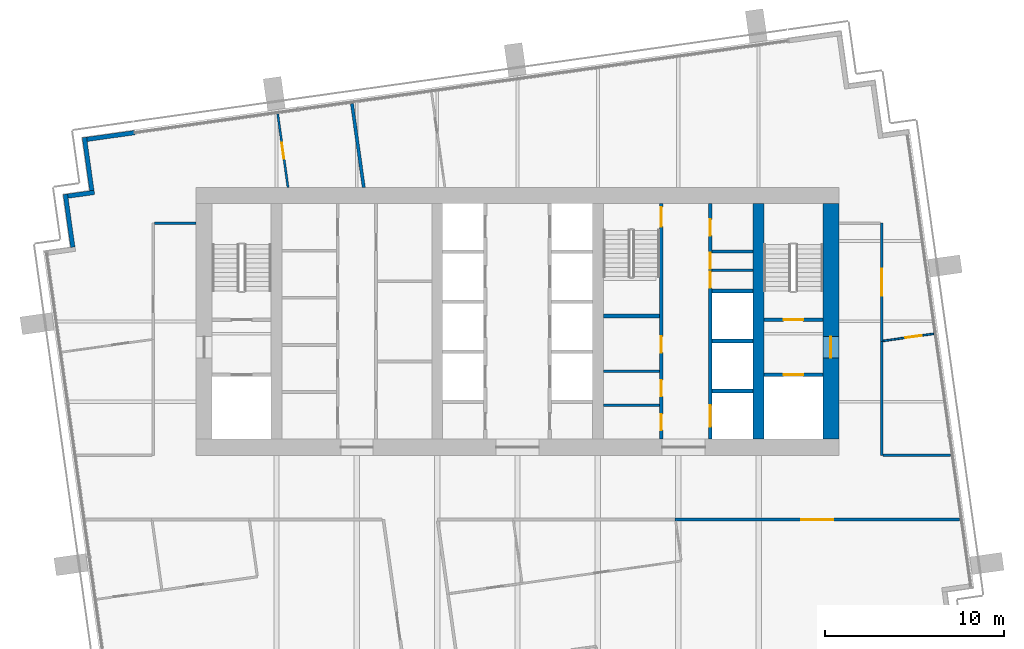
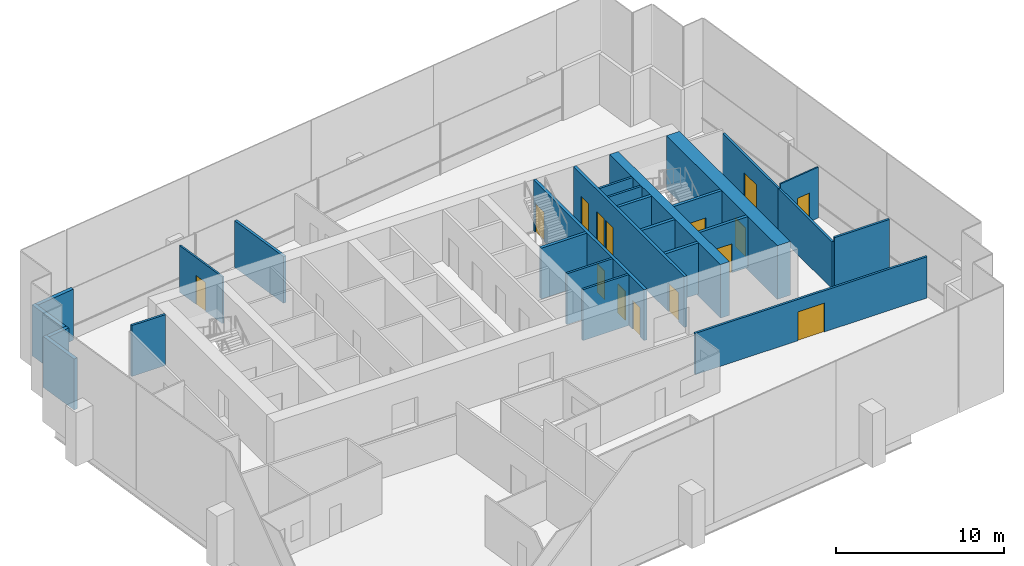
# One storey, part 10 of 15: 26 walls, 15 doors, 15 openings.
"""IFC4 building model written with IfcOpenShell, lengths in metres."""

from ifc_helpers import new_model, si_unit, direction, frame, frame_2d, origin, place, context, subcontext, project, spatial, rectangle, extrude, material, layer, layer_set, type_object, element, fill, save


model = new_model("IFC4")

# Units and contexts
model_context = context("Model", 3, precision=1e-05, world=origin(), true_north=direction((0.0, 1.0)))
body_context = subcontext(model_context, "Body", "Model", "MODEL_VIEW")
ifc_project = project(units=[si_unit("LENGTHUNIT", "METRE"), si_unit("AREAUNIT", "SQUARE_METRE"), si_unit("VOLUMEUNIT", "CUBIC_METRE"), si_unit("PLANEANGLEUNIT", "RADIAN"), si_unit("MASSUNIT", "GRAM", prefix="KILO")], contexts=[model_context])

# Site, building, storey
site_placement = place(None, origin())
site = spatial("IfcSite", under=ifc_project, at=site_placement, CompositionType="ELEMENT")
building_placement = place(site_placement, origin())
building = spatial("IfcBuilding", under=site, at=building_placement, Name="Rattan Terrace Tower", CompositionType="ELEMENT")
storey_placement = place(building_placement, frame((0.0, 0.0, 255.10009765625)))
storey = spatial("IfcBuildingStorey", under=building, at=storey_placement, Name="L58", CompositionType="ELEMENT", Elevation=255.10009765625)

# Walls
ifc_material_1 = material(Name="Gypsum board partition")
ifc_layer_1 = layer(ifc_material_1, 0.14990234375)
ifc_layer_set_1 = layer_set([ifc_layer_1], Name="Core partition 150")
wall_type_1 = type_object("IfcWallType", Name="Core partition 150", PredefinedType="PARTITIONING", material=ifc_layer_set_1)
for number, where, z_axis, x_axis, name in (
    (1, (4.800048828125, -4.696044921875, 0.0), (0.0, 0.0, 1.0), (1.0, 0.0, 0.0), "Toilet wall"),
    (2, (4.800048828125, -2.7919921875, 0.0), (0.0, 0.0, 1.0), (1.0, 0.0, 0.0), "Toilet wall"),
):
    element("IfcWall", number, at=place(storey_placement, frame(where, z_axis=z_axis, x_axis=x_axis)), inside=storey, type_object=wall_type_1, Name=name, PredefinedType="PARTITIONING", context=body_context, shape_type="SweptSolid", body=[
        extrude(rectangle(XDim=3.14990234375, YDim=0.14990234375, at=frame_2d((1.574951171875, 0.0))), origin(), (0.0, 0.0, 1.0), 3.699951171875),
    ])
for number, where, z_axis, x_axis, name in (
    (3, (10.89990234375, 2.85595703125, 0.0), (0.0, 0.0, 1.0), (1.0, 0.0, 0.0), "Riser room wall"),
    (4, (10.89990234375, 3.912109375, 0.0), (0.0, 0.0, 1.0), (1.0, 0.0, 0.0), "Riser room wall"),
):
    element("IfcWall", number, at=place(storey_placement, frame(where, z_axis=z_axis, x_axis=x_axis)), inside=storey, type_object=wall_type_1, Name=name, PredefinedType="PARTITIONING", context=body_context, shape_type="SweptSolid", body=[
        extrude(rectangle(XDim=2.300048828125, YDim=0.14990234375, at=frame_2d((1.14990234375, 0.0))), origin(), (0.0, 0.0, 1.0), 3.699951171875),
    ])

# Wall, opening, door
ifc_material_2 = material(Name="Gypsum board partition")
ifc_layer_2 = layer(ifc_material_2, 0.199951171875)
ifc_layer_set_2 = layer_set([ifc_layer_2], Name="Core partition 200")
wall_type_2 = type_object("IfcWallType", Name="Core partition 200", PredefinedType="PARTITIONING", material=ifc_layer_set_2)
wall_1_placement = place(storey_placement, frame((13.800048828125, -3.0, 0.0), z_axis=(0.0, 0.0, 1.0), x_axis=(1.0, 0.0, 0.0)))
wall_1 = element("IfcWall", 5, at=wall_1_placement, inside=storey, type_object=wall_type_2, Name="Fire-fighting lobby wall", PredefinedType="PARTITIONING", context=body_context, shape_type="SweptSolid", body=[
    extrude(rectangle(XDim=3.300048828125, YDim=0.199951171875, at=frame_2d((1.64990234375, 0.0))), origin(), (0.0, 0.0, 1.0), 3.699951171875),
])
opening_1_placement = place(wall_1_placement, frame((1.10009765625, 0.0, 0.0)))
opening_1 = element("IfcOpeningElement", 6, at=opening_1_placement, cuts=wall_1, Name="Opening L58-LD-FF2", PredefinedType="OPENING", context=body_context, shape_type="SweptSolid", body=[
    extrude(rectangle(XDim=1.10009765625, YDim=2.10009765625, at=frame_2d((0.550048828125, 1.050048828125))), frame((0.0, 0.110595703125, 0.0), z_axis=(0.0, -1.0, 0.0), x_axis=(1.0, 0.0, 0.0)), (0.0, 0.0, 1.0), 0.220947265625),
])
ifc_material_3 = material(Name="Brushed stainless landing door panel")
door_type_1 = type_object("IfcDoorType", Name="Core lift landing door 1100", OperationType="DOUBLE_DOOR_SLIDING", PredefinedType="DOOR", material=ifc_material_3)
door_1_placement = place(opening_1_placement, origin())
door_1 = element("IfcDoor", 7, at=door_1_placement, inside=storey, type_object=door_type_1, Name="Door L58-LD-FF2", OperationType="DOUBLE_DOOR_SLIDING", OverallHeight=2.10009765625, OverallWidth=1.10009765625, PredefinedType="DOOR", context=body_context, shape_type="SweptSolid", body=[
    extrude(rectangle(XDim=1.10009765625, YDim=2.10009765625, at=frame_2d((0.550048828125, 1.050048828125))), frame((0.0, 0.02490234375, 0.0), z_axis=(0.0, -1.0, 0.0), x_axis=(1.0, 0.0, 0.0)), (0.0, 0.0, 1.0), 0.050048828125),
])
fill(opening_1, door_1)

wall_2_placement = place(storey_placement, frame((13.800048828125, 0.10009765625, 0.0), z_axis=(0.0, 0.0, 1.0), x_axis=(1.0, 0.0, 0.0)))
wall_2 = element("IfcWall", 8, at=wall_2_placement, inside=storey, type_object=wall_type_2, Name="Stair enclosure wall", PredefinedType="PARTITIONING", context=body_context, shape_type="SweptSolid", body=[
    extrude(rectangle(XDim=3.300048828125, YDim=0.199951171875, at=frame_2d((1.64990234375, 0.0))), origin(), (0.0, 0.0, 1.0), 3.699951171875),
])
opening_2_placement = place(wall_2_placement, frame((1.10009765625, 0.0, 0.0)))
opening_2 = element("IfcOpeningElement", 9, at=opening_2_placement, cuts=wall_2, Name="Opening L58-D004", PredefinedType="OPENING", context=body_context, shape_type="SweptSolid", body=[
    extrude(rectangle(XDim=1.10009765625, YDim=2.10009765625, at=frame_2d((0.550048828125, 1.050048828125))), frame((0.0, 0.110595703125, 0.0), z_axis=(0.0, -1.0, 0.0), x_axis=(1.0, 0.0, 0.0)), (0.0, 0.0, 1.0), 0.220947265625),
])
ifc_material_4 = material(Name="Hollow-metal fire door leaf")
door_type_2 = type_object("IfcDoorType", Name="Core stair door 1100", OperationType="NOTDEFINED", PredefinedType="DOOR", material=ifc_material_4)
door_2_placement = place(opening_2_placement, origin())
door_2 = element("IfcDoor", 10, at=door_2_placement, inside=storey, type_object=door_type_2, Name="Door L58-D004", OperationType="SINGLE_SWING_RIGHT", OverallHeight=2.10009765625, OverallWidth=1.10009765625, PredefinedType="DOOR", context=body_context, shape_type="SweptSolid", body=[
    extrude(rectangle(XDim=1.10009765625, YDim=2.10009765625, at=frame_2d((0.550048828125, 1.050048828125))), frame((0.0, 0.02490234375, 0.0), z_axis=(0.0, -1.0, 0.0), x_axis=(1.0, 0.0, 0.0)), (0.0, 0.0, 1.0), 0.050048828125),
])
fill(opening_2, door_2)

# Wall, openings, doors
wall_3_placement = place(storey_placement, frame((8.050048828125, -6.60009765625, 0.0), z_axis=(0.0, 0.0, 1.0), x_axis=(0.0, 1.0, 0.0)))
wall_3 = element("IfcWall", 11, at=wall_3_placement, inside=storey, type_object=wall_type_2, Name="Lobby wall west", PredefinedType="PARTITIONING", context=body_context, shape_type="SweptSolid", body=[
    extrude(rectangle(XDim=13.2001953125, YDim=0.199951171875, at=frame_2d((6.60009765625, 0.0))), origin(), (0.0, 0.0, 1.0), 3.699951171875),
])
opening_3_placement = place(wall_3_placement, frame((0.501953125, 0.0, 0.0)))
opening_3 = element("IfcOpeningElement", 12, at=opening_3_placement, cuts=wall_3, Name="Opening L58-D017", PredefinedType="OPENING", context=body_context, shape_type="SweptSolid", body=[
    extrude(rectangle(XDim=0.89990234375, YDim=2.10009765625, at=frame_2d((0.449951171875, 1.050048828125))), frame((0.0, 0.110595703125, 0.0), z_axis=(0.0, -1.0, 0.0), x_axis=(1.0, 0.0, 0.0)), (0.0, 0.0, 1.0), 0.220947265625),
])
opening_4_placement = place(wall_3_placement, frame((2.406005859375, 0.0, 0.0)))
opening_4 = element("IfcOpeningElement", 13, at=opening_4_placement, cuts=wall_3, Name="Opening L58-D018", PredefinedType="OPENING", context=body_context, shape_type="SweptSolid", body=[
    extrude(rectangle(XDim=0.89990234375, YDim=2.10009765625, at=frame_2d((0.449951171875, 1.050048828125))), frame((0.0, 0.110595703125, 0.0), z_axis=(0.0, -1.0, 0.0), x_axis=(1.0, 0.0, 0.0)), (0.0, 0.0, 1.0), 0.220947265625),
])
opening_5_placement = place(wall_3_placement, frame((4.85400390625, 0.0, 0.0)))
opening_5 = element("IfcOpeningElement", 14, at=opening_5_placement, cuts=wall_3, Name="Opening L58-D019", PredefinedType="OPENING", context=body_context, shape_type="SweptSolid", body=[
    extrude(rectangle(XDim=0.89990234375, YDim=2.10009765625, at=frame_2d((0.449951171875, 1.050048828125))), frame((0.0, 0.110595703125, 0.0), z_axis=(0.0, -1.0, 0.0), x_axis=(1.0, 0.0, 0.0)), (0.0, 0.0, 1.0), 0.220947265625),
])
opening_6_placement = place(wall_3_placement, frame((11.89990234375, 0.0, 0.0)))
opening_6 = element("IfcOpeningElement", 15, at=opening_6_placement, cuts=wall_3, Name="Opening L58-D020", PredefinedType="OPENING", context=body_context, shape_type="SweptSolid", body=[
    extrude(rectangle(XDim=1.10009765625, YDim=2.10009765625, at=frame_2d((0.550048828125, 1.050048828125))), frame((0.0, 0.110595703125, 0.0), z_axis=(0.0, -1.0, 0.0), x_axis=(1.0, 0.0, 0.0)), (0.0, 0.0, 1.0), 0.220947265625),
])
door_3_placement = place(opening_6_placement, origin())
door_3 = element("IfcDoor", 16, at=door_3_placement, inside=storey, type_object=door_type_2, Name="Door L58-D020", OperationType="SINGLE_SWING_LEFT", OverallHeight=2.10009765625, OverallWidth=1.10009765625, PredefinedType="DOOR", context=body_context, shape_type="SweptSolid", body=[
    extrude(rectangle(XDim=1.10009765625, YDim=2.10009765625, at=frame_2d((0.550048828125, 1.050048828125))), frame((0.0, 0.02490234375, 0.0), z_axis=(0.0, -1.0, 0.0), x_axis=(1.0, 0.0, 0.0)), (0.0, 0.0, 1.0), 0.050048828125),
])
fill(opening_6, door_3)
ifc_material_5 = material(Name="Hollow-metal fire door leaf")
door_type_3 = type_object("IfcDoorType", Name="Core toilet door 900", OperationType="NOTDEFINED", PredefinedType="DOOR", material=ifc_material_5)
door_4_placement = place(opening_3_placement, origin())
door_4 = element("IfcDoor", 17, at=door_4_placement, inside=storey, type_object=door_type_3, Name="Door L58-D017", OperationType="SINGLE_SWING_RIGHT", OverallHeight=2.10009765625, OverallWidth=0.89990234375, PredefinedType="DOOR", context=body_context, shape_type="SweptSolid", body=[
    extrude(rectangle(XDim=0.89990234375, YDim=2.10009765625, at=frame_2d((0.449951171875, 1.050048828125))), frame((0.0, 0.02490234375, 0.0), z_axis=(0.0, -1.0, 0.0), x_axis=(1.0, 0.0, 0.0)), (0.0, 0.0, 1.0), 0.050048828125),
])
fill(opening_3, door_4)
door_5_placement = place(opening_4_placement, origin())
door_5 = element("IfcDoor", 18, at=door_5_placement, inside=storey, type_object=door_type_3, Name="Door L58-D018", OperationType="SINGLE_SWING_LEFT", OverallHeight=2.10009765625, OverallWidth=0.89990234375, PredefinedType="DOOR", context=body_context, shape_type="SweptSolid", body=[
    extrude(rectangle(XDim=0.89990234375, YDim=2.10009765625, at=frame_2d((0.449951171875, 1.050048828125))), frame((0.0, 0.02490234375, 0.0), z_axis=(0.0, -1.0, 0.0), x_axis=(1.0, 0.0, 0.0)), (0.0, 0.0, 1.0), 0.050048828125),
])
fill(opening_4, door_5)
door_6_placement = place(opening_5_placement, origin())
door_6 = element("IfcDoor", 19, at=door_6_placement, inside=storey, type_object=door_type_3, Name="Door L58-D019", OperationType="SINGLE_SWING_RIGHT", OverallHeight=2.10009765625, OverallWidth=0.89990234375, PredefinedType="DOOR", context=body_context, shape_type="SweptSolid", body=[
    extrude(rectangle(XDim=0.89990234375, YDim=2.10009765625, at=frame_2d((0.449951171875, 1.050048828125))), frame((0.0, 0.02490234375, 0.0), z_axis=(0.0, -1.0, 0.0), x_axis=(1.0, 0.0, 0.0)), (0.0, 0.0, 1.0), 0.050048828125),
])
fill(opening_5, door_6)

# Wall
wall_4_placement = place(storey_placement, frame((4.800048828125, 0.300048828125, 0.0), z_axis=(0.0, 0.0, 1.0), x_axis=(1.0, 0.0, 0.0)))
element("IfcWall", 20, at=wall_4_placement, inside=storey, type_object=wall_type_2, Name="Stair enclosure wall", PredefinedType="PARTITIONING", context=body_context, shape_type="SweptSolid", body=[
    extrude(rectangle(XDim=3.14990234375, YDim=0.199951171875, at=frame_2d((1.574951171875, 0.0))), origin(), (0.0, 0.0, 1.0), 3.699951171875),
])

# Wall, opening, door
ifc_material_6 = material(Name="Concrete C50/60", Category="concrete")
ifc_layer_3 = layer(ifc_material_6, 0.89990234375)
ifc_layer_set_3 = layer_set([ifc_layer_3], Name="Core ring wall 900 C50/60")
wall_type_3 = type_object("IfcWallType", Name="Core ring wall 900 C50/60", PredefinedType="SHEAR", material=ifc_layer_set_3)
wall_5_placement = place(storey_placement, frame((17.550048828125, -6.60009765625, -0.2001953125), z_axis=(0.0, 0.0, 1.0), x_axis=(0.0, 1.0, 0.0)))
wall_5 = element("IfcWall", 21, at=wall_5_placement, inside=storey, type_object=wall_type_3, Name="Rear core wall east", PredefinedType="SHEAR", context=body_context, shape_type="SweptSolid", body=[
    extrude(rectangle(XDim=13.2001953125, YDim=0.89990234375, at=frame_2d((6.60009765625, 0.0))), origin(), (0.0, 0.0, 1.0), 3.900146484375),
])
opening_7_placement = place(wall_5_placement, frame((4.550048828125, 0.0, 0.199951171875)))
opening_7 = element("IfcOpeningElement", 22, at=opening_7_placement, cuts=wall_5, Name="Opening L58-D003", PredefinedType="OPENING", context=body_context, shape_type="SweptSolid", body=[
    extrude(rectangle(XDim=1.199951171875, YDim=2.10009765625, at=frame_2d((0.60009765625, 1.050048828125))), frame((0.0, 0.46044921875, 0.0), z_axis=(0.0, -1.0, 0.0), x_axis=(1.0, 0.0, 0.0)), (0.0, 0.0, 1.0), 0.9208984375),
])
ifc_material_7 = material(Name="Hollow-metal fire door leaf")
door_type_4 = type_object("IfcDoorType", Name="Core fire-fighting lobby door 1200", OperationType="NOTDEFINED", PredefinedType="DOOR", material=ifc_material_7)
door_7_placement = place(opening_7_placement, origin())
door_7 = element("IfcDoor", 23, at=door_7_placement, inside=storey, type_object=door_type_4, Name="Door L58-D003", OperationType="SINGLE_SWING_LEFT", OverallHeight=2.10009765625, OverallWidth=1.199951171875, PredefinedType="DOOR", context=body_context, shape_type="SweptSolid", body=[
    extrude(rectangle(XDim=1.199951171875, YDim=2.10009765625, at=frame_2d((0.60009765625, 1.050048828125))), frame((0.0, 0.02490234375, 0.0), z_axis=(0.0, -1.0, 0.0), x_axis=(1.0, 0.0, 0.0)), (0.0, 0.0, 1.0), 0.050048828125),
])
fill(opening_7, door_7)

# Walls
ifc_material_8 = material(Name="Concrete C50/60", Category="concrete")
ifc_layer_4 = layer(ifc_material_8, 0.60009765625)
ifc_layer_set_4 = layer_set([ifc_layer_4], Name="Core spine wall 600 C50/60")
wall_type_4 = type_object("IfcWallType", Name="Core spine wall 600 C50/60", PredefinedType="SHEAR", material=ifc_layer_set_4)
wall_6_placement = place(storey_placement, frame((13.5, -6.60009765625, -0.2001953125), z_axis=(0.0, 0.0, 1.0), x_axis=(0.0, 1.0, 0.0)))
element("IfcWall", 24, at=wall_6_placement, inside=storey, type_object=wall_type_4, Name="Core spine wall 4", PredefinedType="SHEAR", context=body_context, shape_type="SweptSolid", body=[
    extrude(rectangle(XDim=13.2001953125, YDim=0.60009765625, at=frame_2d((6.60009765625, 0.0))), origin(), (0.0, 0.0, 1.0), 3.900146484375),
])
ifc_material_9 = material(Name="Insulated aluminium-clad stud wall", Category="aluminium")
ifc_layer_5 = layer(ifc_material_9, 0.25)
ifc_layer_set_5 = layer_set([ifc_layer_5], Name="Facade Riser Wall 250")
wall_type_5 = type_object("IfcWallType", Name="Facade Riser Wall 250", PredefinedType="SOLIDWALL", material=ifc_layer_set_5)
wall_7_placement = place(storey_placement, frame((-21.4404296875, 10.571533203125, 0.0), z_axis=(0.0, 0.0, 1.0), x_axis=(-0.990293105353, -0.138994839796, 0.0)))
element("IfcWall", 25, at=wall_7_placement, inside=storey, type_object=wall_type_5, Name="Riser wall L58-11", PredefinedType="SOLIDWALL", context=body_context, shape_type="SweptSolid", body=[
    extrude(rectangle(XDim=2.705078125, YDim=0.25, at=frame_2d((1.3525390625, 0.0))), origin(), (0.0, 0.0, 1.0), 3.699951171875),
])
wall_8_placement = place(storey_placement, frame((-24.260498046875, 10.302001953125, 0.0), z_axis=(0.0, 0.0, 1.0), x_axis=(0.138994228812, -0.990293191109, 0.0)))
element("IfcWall", 26, at=wall_8_placement, inside=storey, type_object=wall_type_5, Name="Riser wall L58-12", PredefinedType="SOLIDWALL", context=body_context, shape_type="SweptSolid", body=[
    extrude(rectangle(XDim=3.0, YDim=0.25, at=frame_2d((1.5, 0.0))), origin(), (0.0, 0.0, 1.0), 3.699951171875),
])
wall_9_placement = place(storey_placement, frame((-23.7021484375, 7.224853515625, 0.0), z_axis=(0.0, 0.0, 1.0), x_axis=(-0.990243596651, -0.13934711799, 0.0)))
element("IfcWall", 27, at=wall_9_placement, inside=storey, type_object=wall_type_5, Name="Riser wall L58-13", PredefinedType="SOLIDWALL", context=body_context, shape_type="SweptSolid", body=[
    extrude(rectangle(XDim=1.499755859375, YDim=0.25, at=frame_2d((0.75, 0.0))), origin(), (0.0, 0.0, 1.0), 3.699951171875),
])
wall_10_placement = place(storey_placement, frame((-25.328369140625, 7.1220703125, 0.0), z_axis=(0.0, 0.0, 1.0), x_axis=(0.139358350296, -0.990242015975, 0.0)))
element("IfcWall", 28, at=wall_10_placement, inside=storey, type_object=wall_type_5, Name="Riser wall L58-14", PredefinedType="SOLIDWALL", context=body_context, shape_type="SweptSolid", body=[
    extrude(rectangle(XDim=2.999267578125, YDim=0.25, at=frame_2d((1.49951171875, 0.0))), origin(), (0.0, 0.0, 1.0), 3.699951171875),
])
ifc_material_10 = material(Name="Double steel stud acoustic partition, gypsum board, mineral wool, fire rated", Category="steel")
ifc_layer_6 = layer(ifc_material_10, 0.179931640625)
ifc_layer_set_6 = layer_set([ifc_layer_6], Name="Floors Acoustic Party Wall 180")
wall_type_6 = type_object("IfcWallType", Name="Floors Acoustic Party Wall 180", PredefinedType="PARTITIONING", material=ifc_layer_set_6)
wall_11_placement = place(storey_placement, frame((-9.27294921875, 12.19091796875, 0.0), z_axis=(0.0, 0.0, 1.0), x_axis=(0.139104789371, -0.990277666907, 0.0)))
element("IfcWall", 29, at=wall_11_placement, inside=storey, type_object=wall_type_6, Name="pt-L58-034", PredefinedType="PARTITIONING", context=body_context, shape_type="SweptSolid", body=[
    extrude(rectangle(XDim=4.737060546875, YDim=0.179931640625, at=frame_2d((2.36865234375, 0.0))), origin(), (0.0, 0.0, 1.0), 3.39990234375),
])

# Wall, opening, door
ifc_material_11 = material(Name="Gypsum board partition on steel studs", Category="steel")
ifc_layer_7 = layer(ifc_material_11, 0.10009765625)
ifc_layer_set_7 = layer_set([ifc_layer_7], Name="Floors Partition 100")
wall_type_7 = type_object("IfcWallType", Name="Floors Partition 100", PredefinedType="PARTITIONING", material=ifc_layer_set_7)
wall_12_placement = place(storey_placement, frame((23.302978515625, -0.697021484375, 0.0), z_axis=(0.0, 0.0, 1.0), x_axis=(-0.990291093887, -0.139009170086, 0.0)))
wall_12 = element("IfcWall", 30, at=wall_12_placement, inside=storey, type_object=wall_type_7, Name="pt-L58-035", PredefinedType="PARTITIONING", context=body_context, shape_type="SweptSolid", body=[
    extrude(rectangle(XDim=2.86279296875, YDim=0.10009765625, at=frame_2d((1.431396484375, 0.0))), origin(), (0.0, 0.0, 1.0), 3.699951171875),
])
opening_8_placement = place(wall_12_placement, frame((0.68896484375, 0.0, 0.0)))
opening_8 = element("IfcOpeningElement", 31, at=opening_8_placement, cuts=wall_12, Name="Opening L58-D112", PredefinedType="OPENING", context=body_context, shape_type="SweptSolid", body=[
    extrude(rectangle(XDim=0.89990234375, YDim=2.10009765625, at=frame_2d((0.449951171875, 1.050048828125))), frame((0.0, 0.060546875, 0.0), z_axis=(0.0, -1.0, 0.0), x_axis=(1.0, 0.0, 0.0)), (0.0, 0.0, 1.0), 0.12109375),
])
ifc_material_12 = material(Name="Solid core timber door, painted", Category="wood")
door_type_5 = type_object("IfcDoorType", Name="Floors Door 900x2100", OperationType="NOTDEFINED", PredefinedType="DOOR", material=ifc_material_12)
door_8_placement = place(opening_8_placement, origin())
door_8 = element("IfcDoor", 32, at=door_8_placement, inside=storey, type_object=door_type_5, Name="d-L58-112", OperationType="SINGLE_SWING_LEFT", OverallHeight=2.10009765625, OverallWidth=0.89990234375, PredefinedType="DOOR", context=body_context, shape_type="SweptSolid", body=[
    extrude(rectangle(XDim=0.89990234375, YDim=2.10009765625, at=frame_2d((0.449951171875, 1.050048828125))), frame((0.0, 0.02490234375, 0.0), z_axis=(0.0, -1.0, 0.0), x_axis=(1.0, 0.0, 0.0)), (0.0, 0.0, 1.0), 0.050048828125),
])
fill(opening_8, door_8)

ifc_material_13 = material(Name="Gypsum board partition on steel studs, fire rated", Category="steel")
ifc_layer_8 = layer(ifc_material_13, 0.14990234375)
ifc_layer_set_8 = layer_set([ifc_layer_8], Name="Floors Tenancy Wall 150")
wall_type_8 = type_object("IfcWallType", Name="Floors Tenancy Wall 150", PredefinedType="PARTITIONING", material=ifc_layer_set_8)
wall_13_placement = place(storey_placement, frame((24.764892578125, -11.10009765625, 0.0), z_axis=(0.0, 0.0, 1.0), x_axis=(-1.0, 0.0, 0.0)))
wall_13 = element("IfcWall", 33, at=wall_13_placement, inside=storey, type_object=wall_type_8, Name="pt-L58-007", PredefinedType="PARTITIONING", context=body_context, shape_type="SweptSolid", body=[
    extrude(rectangle(XDim=15.94091796875, YDim=0.14990234375, at=frame_2d((7.970458984375, 0.0))), origin(), (0.0, 0.0, 1.0), 3.0),
])
opening_9_placement = place(wall_13_placement, frame((7.070068359375, 0.0, 0.0)))
opening_9 = element("IfcOpeningElement", 34, at=opening_9_placement, cuts=wall_13, Name="Opening L58-D104", PredefinedType="OPENING", context=body_context, shape_type="SweptSolid", body=[
    extrude(rectangle(XDim=1.800048828125, YDim=2.10009765625, at=frame_2d((0.89990234375, 1.050048828125))), frame((0.0, 0.08544921875, 0.0), z_axis=(0.0, -1.0, 0.0), x_axis=(1.0, 0.0, 0.0)), (0.0, 0.0, 1.0), 0.1708984375),
])
ifc_material_14 = material(Name="Steel fire door set", Category="steel")
door_type_6 = type_object("IfcDoorType", Name="Floors Fire Door Pair FD30S 1800x2100", OperationType="NOTDEFINED", PredefinedType="DOOR", material=ifc_material_14)
door_9_placement = place(opening_9_placement, origin())
door_9 = element("IfcDoor", 35, at=door_9_placement, inside=storey, type_object=door_type_6, Name="d-L58-104", OperationType="DOUBLE_DOOR_SINGLE_SWING", OverallHeight=2.10009765625, OverallWidth=1.800048828125, PredefinedType="DOOR", context=body_context, shape_type="SweptSolid", body=[
    extrude(rectangle(XDim=1.800048828125, YDim=2.10009765625, at=frame_2d((0.89990234375, 1.050048828125))), frame((0.0, 0.02490234375, 0.0), z_axis=(0.0, -1.0, 0.0), x_axis=(1.0, 0.0, 0.0)), (0.0, 0.0, 1.0), 0.050048828125),
])
fill(opening_9, door_9)

# Wall
wall_14_placement = place(storey_placement, frame((-20.324951171875, 5.5009765625, 0.0), z_axis=(0.0, 0.0, 1.0), x_axis=(1.0, 0.0, 0.0)))
element("IfcWall", 36, at=wall_14_placement, inside=storey, type_object=wall_type_8, Name="pt-L58-013", PredefinedType="PARTITIONING", context=body_context, shape_type="SweptSolid", body=[
    extrude(rectangle(XDim=2.324951171875, YDim=0.14990234375, at=frame_2d((1.16259765625, 0.0))), origin(), (0.0, 0.0, 1.0), 3.699951171875),
])

# Wall, opening, door
wall_15_placement = place(storey_placement, frame((20.39990234375, 5.5, 0.0), z_axis=(0.0, 0.0, 1.0), x_axis=(0.0, -1.0, 0.0)))
wall_15 = element("IfcWall", 37, at=wall_15_placement, inside=storey, type_object=wall_type_8, Name="pt-L58-017", PredefinedType="PARTITIONING", context=body_context, shape_type="SweptSolid", body=[
    extrude(rectangle(XDim=6.625, YDim=0.14990234375, at=frame_2d((3.3125, 0.0))), origin(), (0.0, 0.0, 1.0), 3.39990234375),
])
opening_10_placement = place(wall_15_placement, frame((2.56201171875, 0.0, 0.0)))
opening_10 = element("IfcOpeningElement", 38, at=opening_10_placement, cuts=wall_15, Name="Opening L58-D111", PredefinedType="OPENING", context=body_context, shape_type="SweptSolid", body=[
    extrude(rectangle(XDim=1.5, YDim=2.10009765625, at=frame_2d((0.75, 1.050048828125))), frame((0.0, 0.08544921875, 0.0), z_axis=(0.0, -1.0, 0.0), x_axis=(1.0, 0.0, 0.0)), (0.0, 0.0, 1.0), 0.1708984375),
])
ifc_material_15 = material(Name="Steel fire door set", Category="steel")
door_type_7 = type_object("IfcDoorType", Name="Floors Unit Door Pair FD30S 1500x2100", OperationType="NOTDEFINED", PredefinedType="DOOR", material=ifc_material_15)
door_10_placement = place(opening_10_placement, origin())
door_10 = element("IfcDoor", 39, at=door_10_placement, inside=storey, type_object=door_type_7, Name="d-L58-111", OperationType="DOUBLE_DOOR_SINGLE_SWING", OverallHeight=2.10009765625, OverallWidth=1.5, PredefinedType="DOOR", context=body_context, shape_type="SweptSolid", body=[
    extrude(rectangle(XDim=1.5, YDim=2.10009765625, at=frame_2d((0.75, 1.050048828125))), frame((0.0, 0.02490234375, 0.0), z_axis=(0.0, -1.0, 0.0), x_axis=(1.0, 0.0, 0.0)), (0.0, 0.0, 1.0), 0.050048828125),
])
fill(opening_10, door_10)

# Walls
wall_16_placement = place(storey_placement, frame((20.39990234375, -1.125, 0.0), z_axis=(0.0, 0.0, 1.0), x_axis=(0.0, -1.0, 0.0)))
element("IfcWall", 40, at=wall_16_placement, inside=storey, type_object=wall_type_8, Name="pt-L58-018", PredefinedType="PARTITIONING", context=body_context, shape_type="SweptSolid", body=[
    extrude(rectangle(XDim=6.375, YDim=0.14990234375, at=frame_2d((3.1875, 0.0))), origin(), (0.0, 0.0, 1.0), 3.39990234375),
])
wall_17_placement = place(storey_placement, frame((20.47509765625, -7.5, 0.0), z_axis=(0.0, 0.0, 1.0), x_axis=(1.0, 0.0, 0.0)))
element("IfcWall", 41, at=wall_17_placement, inside=storey, type_object=wall_type_8, Name="pt-L58-019", PredefinedType="PARTITIONING", context=body_context, shape_type="SweptSolid", body=[
    extrude(rectangle(XDim=3.783935546875, YDim=0.14990234375, at=frame_2d((1.89208984375, 0.0))), origin(), (0.0, 0.0, 1.0), 3.699951171875),
])

# Wall, opening, door
ifc_material_16 = material(Name="Moisture resistant gypsum board partition on steel studs with service cavity", Category="steel")
ifc_layer_9 = layer(ifc_material_16, 0.1201171875)
ifc_layer_set_9 = layer_set([ifc_layer_9], Name="Floors Wet Wall 120")
wall_type_9 = type_object("IfcWallType", Name="Floors Wet Wall 120", PredefinedType="PARTITIONING", material=ifc_layer_set_9)
wall_18_placement = place(storey_placement, frame((-13.431884765625, 11.60693359375, 0.0), z_axis=(0.0, 0.0, 1.0), x_axis=(0.139105101842, -0.990277623014, 0.0)))
wall_18 = element("IfcWall", 42, at=wall_18_placement, inside=storey, type_object=wall_type_9, Name="pt-L58-033", PredefinedType="PARTITIONING", context=body_context, shape_type="SweptSolid", body=[
    extrude(rectangle(XDim=4.147216796875, YDim=0.1201171875, at=frame_2d((2.07373046875, 0.0))), origin(), (0.0, 0.0, 1.0), 3.39990234375),
])
opening_11_placement = place(wall_18_placement, frame((1.6240234375, 0.0, 0.0)))
opening_11 = element("IfcOpeningElement", 43, at=opening_11_placement, cuts=wall_18, Name="Opening L58-D110", PredefinedType="OPENING", context=body_context, shape_type="SweptSolid", body=[
    extrude(rectangle(XDim=0.89990234375, YDim=2.10009765625, at=frame_2d((0.449951171875, 1.050048828125))), frame((0.0, 0.070556640625, 0.0), z_axis=(0.0, -1.0, 0.0), x_axis=(1.0, 0.0, 0.0)), (0.0, 0.0, 1.0), 0.14111328125),
])
door_11_placement = place(opening_11_placement, origin())
door_11 = element("IfcDoor", 44, at=door_11_placement, inside=storey, type_object=door_type_5, Name="d-L58-110", OperationType="SINGLE_SWING_LEFT", OverallHeight=2.10009765625, OverallWidth=0.89990234375, PredefinedType="DOOR", context=body_context, shape_type="SweptSolid", body=[
    extrude(rectangle(XDim=0.89990234375, YDim=2.10009765625, at=frame_2d((0.449951171875, 1.050048828125))), frame((0.0, 0.02490234375, 0.0), z_axis=(0.0, -1.0, 0.0), x_axis=(1.0, 0.0, 0.0)), (0.0, 0.0, 1.0), 0.050048828125),
])
fill(opening_11, door_11)

# Wall, openings, doors
ifc_material_17 = material(Name="Gypsum shaft wall system")
ifc_layer_10 = layer(ifc_material_17, 0.199951171875)
ifc_layer_set_10 = layer_set([ifc_layer_10], Name="Lift shaft wall 200")
wall_type_10 = type_object("IfcWallType", Name="Lift shaft wall 200", PredefinedType="PARTITIONING", material=ifc_layer_set_10)
wall_19_placement = place(storey_placement, frame((10.800048828125, -6.60009765625, 0.0), z_axis=(0.0, 0.0, 1.0), x_axis=(0.0, 1.0, 0.0)))
wall_19 = element("IfcWall", 45, at=wall_19_placement, inside=storey, type_object=wall_type_10, Name="Lift shaft front wall", PredefinedType="PARTITIONING", context=body_context, shape_type="SweptSolid", body=[
    extrude(rectangle(XDim=13.2001953125, YDim=0.199951171875, at=frame_2d((6.60009765625, 0.0))), origin(), (0.0, 0.0, 1.0), 3.699951171875),
])
opening_12_placement = place(wall_19_placement, frame((0.699951171875, 0.0, 0.0)))
opening_12 = element("IfcOpeningElement", 46, at=opening_12_placement, cuts=wall_19, Name="Opening L58-LD-SV1", PredefinedType="OPENING", context=body_context, shape_type="SweptSolid", body=[
    extrude(rectangle(XDim=1.199951171875, YDim=2.10009765625, at=frame_2d((0.60009765625, 1.050048828125))), frame((0.0, 0.110595703125, 0.0), z_axis=(0.0, -1.0, 0.0), x_axis=(1.0, 0.0, 0.0)), (0.0, 0.0, 1.0), 0.220947265625),
])
opening_13_placement = place(wall_19_placement, frame((8.47802734375, 0.0, 0.0)))
opening_13 = element("IfcOpeningElement", 47, at=opening_13_placement, cuts=wall_19, Name="Opening L58-D022", PredefinedType="OPENING", context=body_context, shape_type="SweptSolid", body=[
    extrude(rectangle(XDim=0.89990234375, YDim=2.10009765625, at=frame_2d((0.449951171875, 1.050048828125))), frame((0.0, 0.110595703125, 0.0), z_axis=(0.0, -1.0, 0.0), x_axis=(1.0, 0.0, 0.0)), (0.0, 0.0, 1.0), 0.220947265625),
])
opening_14_placement = place(wall_19_placement, frame((9.533935546875, 0.0, 0.0)))
opening_14 = element("IfcOpeningElement", 48, at=opening_14_placement, cuts=wall_19, Name="Opening L58-D023", PredefinedType="OPENING", context=body_context, shape_type="SweptSolid", body=[
    extrude(rectangle(XDim=0.89990234375, YDim=2.10009765625, at=frame_2d((0.449951171875, 1.050048828125))), frame((0.0, 0.110595703125, 0.0), z_axis=(0.0, -1.0, 0.0), x_axis=(1.0, 0.0, 0.0)), (0.0, 0.0, 1.0), 0.220947265625),
])
opening_15_placement = place(wall_19_placement, frame((11.406005859375, 0.0, 0.0)))
opening_15 = element("IfcOpeningElement", 49, at=opening_15_placement, cuts=wall_19, Name="Opening L58-D024", PredefinedType="OPENING", context=body_context, shape_type="SweptSolid", body=[
    extrude(rectangle(XDim=0.89990234375, YDim=2.10009765625, at=frame_2d((0.449951171875, 1.050048828125))), frame((0.0, 0.110595703125, 0.0), z_axis=(0.0, -1.0, 0.0), x_axis=(1.0, 0.0, 0.0)), (0.0, 0.0, 1.0), 0.220947265625),
])
ifc_material_18 = material(Name="Brushed stainless landing door panel")
door_type_8 = type_object("IfcDoorType", Name="Core lift landing door 1200", OperationType="DOUBLE_DOOR_SLIDING", PredefinedType="DOOR", material=ifc_material_18)
door_12_placement = place(opening_12_placement, origin())
door_12 = element("IfcDoor", 50, at=door_12_placement, inside=storey, type_object=door_type_8, Name="Door L58-LD-SV1", OperationType="DOUBLE_DOOR_SLIDING", OverallHeight=2.10009765625, OverallWidth=1.199951171875, PredefinedType="DOOR", context=body_context, shape_type="SweptSolid", body=[
    extrude(rectangle(XDim=1.199951171875, YDim=2.10009765625, at=frame_2d((0.60009765625, 1.050048828125))), frame((0.0, 0.02490234375, 0.0), z_axis=(0.0, -1.0, 0.0), x_axis=(1.0, 0.0, 0.0)), (0.0, 0.0, 1.0), 0.050048828125),
])
fill(opening_12, door_12)
ifc_material_19 = material(Name="Hollow-metal fire door leaf")
door_type_9 = type_object("IfcDoorType", Name="Core riser door 900", OperationType="NOTDEFINED", PredefinedType="DOOR", material=ifc_material_19)
door_13_placement = place(opening_13_placement, origin())
door_13 = element("IfcDoor", 51, at=door_13_placement, inside=storey, type_object=door_type_9, Name="Door L58-D022", OperationType="SINGLE_SWING_RIGHT", OverallHeight=2.10009765625, OverallWidth=0.89990234375, PredefinedType="DOOR", context=body_context, shape_type="SweptSolid", body=[
    extrude(rectangle(XDim=0.89990234375, YDim=2.10009765625, at=frame_2d((0.449951171875, 1.050048828125))), frame((0.0, 0.02490234375, 0.0), z_axis=(0.0, -1.0, 0.0), x_axis=(1.0, 0.0, 0.0)), (0.0, 0.0, 1.0), 0.050048828125),
])
fill(opening_13, door_13)
door_14_placement = place(opening_14_placement, origin())
door_14 = element("IfcDoor", 52, at=door_14_placement, inside=storey, type_object=door_type_9, Name="Door L58-D023", OperationType="SINGLE_SWING_LEFT", OverallHeight=2.10009765625, OverallWidth=0.89990234375, PredefinedType="DOOR", context=body_context, shape_type="SweptSolid", body=[
    extrude(rectangle(XDim=0.89990234375, YDim=2.10009765625, at=frame_2d((0.449951171875, 1.050048828125))), frame((0.0, 0.02490234375, 0.0), z_axis=(0.0, -1.0, 0.0), x_axis=(1.0, 0.0, 0.0)), (0.0, 0.0, 1.0), 0.050048828125),
])
fill(opening_14, door_14)
ifc_material_20 = material(Name="Hollow-metal fire door leaf")
door_type_10 = type_object("IfcDoorType", Name="Core service room door 900", OperationType="NOTDEFINED", PredefinedType="DOOR", material=ifc_material_20)
door_15_placement = place(opening_15_placement, origin())
door_15 = element("IfcDoor", 53, at=door_15_placement, inside=storey, type_object=door_type_10, Name="Door L58-D024", OperationType="SINGLE_SWING_RIGHT", OverallHeight=2.10009765625, OverallWidth=0.89990234375, PredefinedType="DOOR", context=body_context, shape_type="SweptSolid", body=[
    extrude(rectangle(XDim=0.89990234375, YDim=2.10009765625, at=frame_2d((0.449951171875, 1.050048828125))), frame((0.0, 0.02490234375, 0.0), z_axis=(0.0, -1.0, 0.0), x_axis=(1.0, 0.0, 0.0)), (0.0, 0.0, 1.0), 0.050048828125),
])
fill(opening_15, door_15)

# Walls
for number, where, z_axis, x_axis, name in (
    (54, (10.89990234375, -3.89990234375, 0.0), (0.0, 0.0, 1.0), (1.0, 0.0, 0.0), "Lift shaft wall"),
    (55, (10.89990234375, -1.10009765625, 0.0), (0.0, 0.0, 1.0), (1.0, 0.0, 0.0), "Lift shaft wall"),
    (56, (10.89990234375, 1.699951171875, 0.0), (0.0, 0.0, 1.0), (1.0, 0.0, 0.0), "Lift shaft wall"),
):
    element("IfcWall", number, at=place(storey_placement, frame(where, z_axis=z_axis, x_axis=x_axis)), inside=storey, type_object=wall_type_10, Name=name, PredefinedType="PARTITIONING", context=body_context, shape_type="SweptSolid", body=[
        extrude(rectangle(XDim=2.300048828125, YDim=0.199951171875, at=frame_2d((1.14990234375, 0.0))), origin(), (0.0, 0.0, 1.0), 3.699951171875),
    ])

save(model, "model.ifc")
